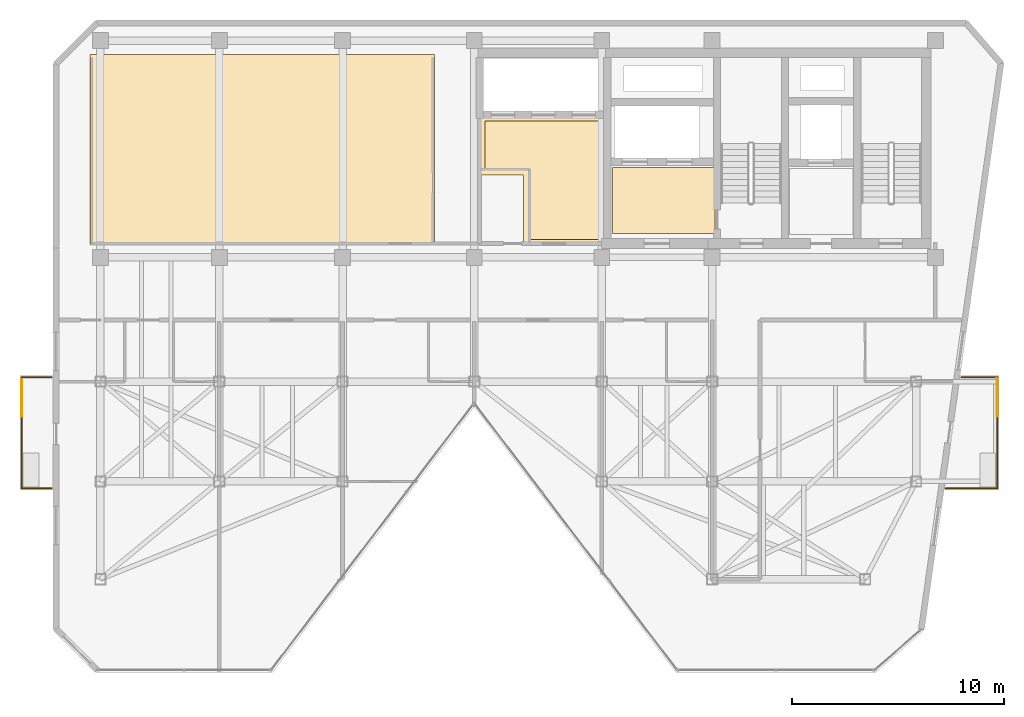
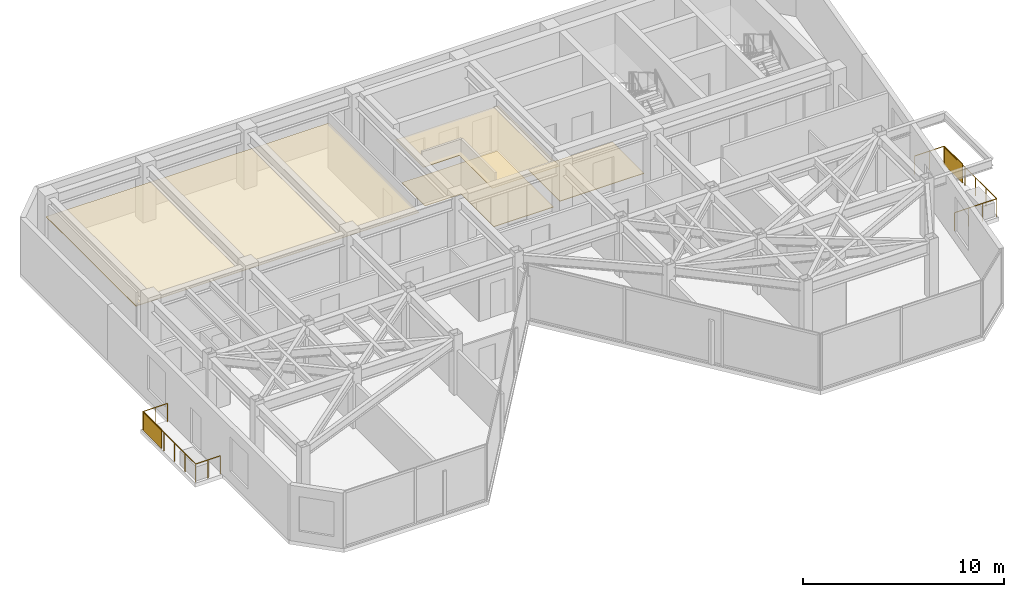
# One storey, part 16 of 17: 6 railings, 4 coverings, 2 shading devices.
"""IFC4 building model written with IfcOpenShell, lengths in metres."""

from ifc_helpers import new_model, si_unit, direction, frame, origin, origin_2d, place, context, subcontext, project, spatial, polyline, rectangle, circle, outline, extrude, material, layer, layer_set, type_object, element, save


model = new_model("IFC4")

# Units and contexts
model_context = context("Model", 3, precision=1e-05, world=origin(), true_north=direction((0.0, 1.0)))
body_context = subcontext(model_context, "Body", "Model", "MODEL_VIEW")
ifc_project = project(units=[si_unit("LENGTHUNIT", "METRE"), si_unit("AREAUNIT", "SQUARE_METRE"), si_unit("VOLUMEUNIT", "CUBIC_METRE"), si_unit("PLANEANGLEUNIT", "RADIAN"), si_unit("MASSUNIT", "GRAM", prefix="KILO")], contexts=[model_context])

# Site, building, storey
site_placement = place(None, origin())
site = spatial("IfcSite", under=ifc_project, at=site_placement, CompositionType="ELEMENT")
building_placement = place(site_placement, origin())
building = spatial("IfcBuilding", under=site, at=building_placement, Name="Kravanh Interchange Tower", CompositionType="ELEMENT")
storey_placement = place(building_placement, frame((0.0, 0.0, 249.0)))
storey = spatial("IfcBuildingStorey", under=building, at=storey_placement, Name="L60", CompositionType="ELEMENT", Elevation=249.0)

# Coverings
ifc_material_1 = material(Name="Cementitious Terrazzo Tile")
ifc_layer_1 = layer(ifc_material_1, 0.030029296875)
ifc_layer_set_1 = layer_set([ifc_layer_1], Name="Honed Terrazzo Lobby Flooring 30mm")
covering_type_1 = type_object("IfcCoveringType", Name="Honed Terrazzo Lobby Flooring 30mm", PredefinedType="FLOORING", material=ifc_layer_set_1)
covering_1_placement = place(storey_placement, origin())
element("IfcCovering", 1, at=covering_1_placement, inside=storey, type_object=covering_type_1, Name="L60 Firefighting Lobby Floor Finish", PredefinedType="FLOORING", context=body_context, shape_type="SweptSolid", body=[
    extrude(outline(polyline([(56.1201171875, 38.4599609375), (51.300048828125, 38.4599609375), (51.300048828125, 41.580078125), (56.1201171875, 41.580078125), (56.1201171875, 38.4599609375)])), origin(), (0.0, 0.0, 1.0), 0.030029296875),
])
covering_2_placement = place(storey_placement, origin())
element("IfcCovering", 2, at=covering_2_placement, inside=storey, type_object=covering_type_1, Name="L60 High-Rise Lift Lobby Floor Finish", PredefinedType="FLOORING", context=body_context, shape_type="SweptSolid", body=[
    extrude(outline(polyline([(50.77001953125, 43.77001953125), (50.77001953125, 38.179931640625), (47.35009765625, 38.179931640625), (47.35009765625, 41.449951171875), (45.300048828125, 41.449951171875), (45.300048828125, 43.77001953125), (50.77001953125, 43.77001953125)])), origin(), (0.0, 0.0, 1.0), 0.030029296875),
])
ifc_material_2 = material(Name="Anodised Bronze Aluminium Acoustic Baffle", Category="aluminium")
ifc_layer_2 = layer(ifc_material_2, 0.034912109375)
ifc_layer_set_2 = layer_set([ifc_layer_2], Name="Linear Bronze Baffle Feature Ceiling 35mm")
covering_type_2 = type_object("IfcCoveringType", Name="Linear Bronze Baffle Feature Ceiling 35mm", PredefinedType="CEILING", material=ifc_layer_set_2)
covering_3_placement = place(storey_placement, frame((0.0, 0.0, 2.550048828125)))
element("IfcCovering", 3, at=covering_3_placement, inside=storey, type_object=covering_type_2, Name="L60 Guest Wellness Fitness Lounge Suspended Ceiling", PredefinedType="CEILING", context=body_context, shape_type="SweptSolid", body=[
    extrude(outline(polyline([(42.929931640625, 46.889892578125), (42.929931640625, 37.9599609375), (26.7099609375, 37.9599609375), (26.7099609375, 46.889892578125), (42.929931640625, 46.889892578125)])), origin(), (0.0, 0.0, 1.0), 0.034912109375),
])
ifc_material_3 = material(Name="Acoustic Mineral Fibre Tile on Aluminium Grid", Category="aluminium")
ifc_layer_3 = layer(ifc_material_3, 0.02490234375)
ifc_layer_set_3 = layer_set([ifc_layer_3], Name="Perforated Acoustic Mineral Ceiling 25mm")
covering_type_3 = type_object("IfcCoveringType", Name="Perforated Acoustic Mineral Ceiling 25mm", PredefinedType="CEILING", material=ifc_layer_set_3)
covering_4_placement = place(storey_placement, frame((0.0, 0.0, 2.550048828125)))
element("IfcCovering", 4, at=covering_4_placement, inside=storey, type_object=covering_type_3, Name="L60 High-Rise Lift Lobby Suspended Ceiling", PredefinedType="CEILING", context=body_context, shape_type="SweptSolid", body=[
    extrude(outline(polyline([(47.1298828125, 37.9599609375), (47.1298828125, 41.22998046875), (45.080078125, 41.22998046875), (45.080078125, 43.989990234375), (50.989990234375, 43.989990234375), (50.989990234375, 37.9599609375), (47.1298828125, 37.9599609375)])), origin(), (0.0, 0.0, 1.0), 0.02490234375),
])

# Shading devices
ifc_material_4 = material(Name="Perforated Anodised Bronze Aluminium", Category="aluminium")
ifc_layer_4 = layer(ifc_material_4, 0.0400390625)
ifc_layer_set_4 = layer_set([ifc_layer_4], Name="Perforated Bronze Balcony Privacy Screen 1150mm")
shading_device_type = type_object("IfcShadingDeviceType", Name="Perforated Bronze Balcony Privacy Screen 1150mm", PredefinedType="USERDEFINED", material=ifc_layer_set_4)
for number, where, z_axis, x_axis, name in (
    (5, (69.409912109375, 30.739990234375, 0.0), (0.0, 0.0, 1.0), (1.0, 0.0, 0.0), "L60 E Perforated Bronze BALCONY SCREEN"),
    (6, (23.5, 30.739990234375, 0.0), (0.0, 0.0, 1.0), (1.0, 0.0, 0.0), "L60 W Perforated Bronze BALCONY SCREEN"),
):
    element("IfcShadingDevice", number, at=place(storey_placement, frame(where, z_axis=z_axis, x_axis=x_axis)), inside=storey, type_object=shading_device_type, Name=name, ObjectType="SCREEN", PredefinedType="USERDEFINED", context=body_context, shape_type="SweptSolid", body=[
        extrude(rectangle(XDim=0.0400390625, YDim=1.800048828125, at=origin_2d()), origin(), (0.0, 0.0, 1.0), 1.14990234375),
    ])

# Railings
ifc_material_5 = material(Name="Stainless Steel 316", Category="steel")
ifc_layer_5 = layer(ifc_material_5, 0.06005859375)
ifc_layer_set_5 = layer_set([ifc_layer_5], Name="Perimeter Balcony and Terrace Guardrail Stainless 316 1120mm")
railing_type = type_object("IfcRailingType", Name="Perimeter Balcony and Terrace Guardrail Stainless 316 1120mm", PredefinedType="GUARDRAIL", material=ifc_layer_set_5)
railing_1_placement = place(storey_placement, frame((69.409912109375, 31.7099609375, 0.0)))
element("IfcRailing", 7, at=railing_1_placement, inside=storey, type_object=railing_type, Name="L60 E Balcony Guardrail 1", PredefinedType="GUARDRAIL", context=body_context, shape_type="SweptSolid", body=[
    extrude(circle(Radius=0.02392578125, at=origin_2d()), frame((0.0, 0.0, 1.09619140625), z_axis=(0.0, -1.0, 0.0), x_axis=(1.0, 0.0, 0.0)), (0.0, 0.0, 1.0), 5.239990234375),
    extrude(circle(Radius=0.02099609375, at=origin_2d()), origin(), (0.0, 0.0, 1.0), 1.072021484375),
    extrude(circle(Radius=0.02099609375, at=origin_2d()), frame((0.0, -1.048095703125, 0.0)), (0.0, 0.0, 1.0), 1.072021484375),
    extrude(circle(Radius=0.02099609375, at=origin_2d()), frame((0.0, -2.095947265625, 0.0)), (0.0, 0.0, 1.0), 1.072021484375),
    extrude(circle(Radius=0.02099609375, at=origin_2d()), frame((0.0, -3.14404296875, 0.0)), (0.0, 0.0, 1.0), 1.072021484375),
    extrude(circle(Radius=0.02099609375, at=origin_2d()), frame((0.0, -4.19189453125, 0.0)), (0.0, 0.0, 1.0), 1.072021484375),
    extrude(circle(Radius=0.02099609375, at=origin_2d()), frame((0.0, -5.239990234375, 0.0)), (0.0, 0.0, 1.0), 1.072021484375),
])
railing_2_placement = place(storey_placement, frame((69.409912109375, 26.469970703125, 0.0)))
element("IfcRailing", 8, at=railing_2_placement, inside=storey, type_object=railing_type, Name="L60 E Balcony Guardrail 2", PredefinedType="GUARDRAIL", context=body_context, shape_type="SweptSolid", body=[
    extrude(circle(Radius=0.02392578125, at=origin_2d()), frame((0.0, 0.0, 1.09619140625), z_axis=(-1.0, 0.0, 0.0), x_axis=(0.0, -1.0, 0.0)), (0.0, 0.0, 1.0), 2.41015625),
    extrude(circle(Radius=0.02099609375, at=origin_2d()), origin(), (0.0, 0.0, 1.0), 1.072021484375),
    extrude(circle(Radius=0.02099609375, at=origin_2d()), frame((-0.803466796875, 0.0, 0.0)), (0.0, 0.0, 1.0), 1.072021484375),
    extrude(circle(Radius=0.02099609375, at=origin_2d()), frame((-1.606689453125, 0.0, 0.0)), (0.0, 0.0, 1.0), 1.072021484375),
    extrude(circle(Radius=0.02099609375, at=origin_2d()), frame((-2.41015625, 0.0, 0.0)), (0.0, 0.0, 1.0), 1.072021484375),
])
railing_3_placement = place(storey_placement, frame((67.736083984375, 31.7099609375, 0.0)))
element("IfcRailing", 9, at=railing_3_placement, inside=storey, type_object=railing_type, Name="L60 E Balcony Guardrail 3", PredefinedType="GUARDRAIL", context=body_context, shape_type="SweptSolid", body=[
    extrude(circle(Radius=0.02392578125, at=origin_2d()), frame((0.0, 0.0, 1.09619140625), z_axis=(1.0, 0.0, 0.0), x_axis=(0.0, 1.0, 0.0)), (0.0, 0.0, 1.0), 1.673828125),
    extrude(circle(Radius=0.02099609375, at=origin_2d()), origin(), (0.0, 0.0, 1.0), 1.072021484375),
    extrude(circle(Radius=0.02099609375, at=origin_2d()), frame((0.8369140625, 0.0, 0.0)), (0.0, 0.0, 1.0), 1.072021484375),
    extrude(circle(Radius=0.02099609375, at=origin_2d()), frame((1.673828125, 0.0, 0.0)), (0.0, 0.0, 1.0), 1.072021484375),
])
railing_4_placement = place(storey_placement, frame((23.5, 26.469970703125, 0.0)))
element("IfcRailing", 10, at=railing_4_placement, inside=storey, type_object=railing_type, Name="L60 W Balcony Guardrail 1", PredefinedType="GUARDRAIL", context=body_context, shape_type="SweptSolid", body=[
    extrude(circle(Radius=0.02392578125, at=origin_2d()), frame((0.0, 0.0, 1.09619140625), z_axis=(0.0, 1.0, 0.0), x_axis=(-1.0, 0.0, 0.0)), (0.0, 0.0, 1.0), 5.239990234375),
    extrude(circle(Radius=0.02099609375, at=origin_2d()), origin(), (0.0, 0.0, 1.0), 1.072021484375),
    extrude(circle(Radius=0.02099609375, at=origin_2d()), frame((0.0, 1.048095703125, 0.0)), (0.0, 0.0, 1.0), 1.072021484375),
    extrude(circle(Radius=0.02099609375, at=origin_2d()), frame((0.0, 2.095947265625, 0.0)), (0.0, 0.0, 1.0), 1.072021484375),
    extrude(circle(Radius=0.02099609375, at=origin_2d()), frame((0.0, 3.14404296875, 0.0)), (0.0, 0.0, 1.0), 1.072021484375),
    extrude(circle(Radius=0.02099609375, at=origin_2d()), frame((0.0, 4.19189453125, 0.0)), (0.0, 0.0, 1.0), 1.072021484375),
    extrude(circle(Radius=0.02099609375, at=origin_2d()), frame((0.0, 5.239990234375, 0.0)), (0.0, 0.0, 1.0), 1.072021484375),
])
railing_5_placement = place(storey_placement, frame((23.5, 31.7099609375, 0.0)))
element("IfcRailing", 11, at=railing_5_placement, inside=storey, type_object=railing_type, Name="L60 W Balcony Guardrail 2", PredefinedType="GUARDRAIL", context=body_context, shape_type="SweptSolid", body=[
    extrude(circle(Radius=0.02392578125, at=origin_2d()), frame((0.0, 0.0, 1.09619140625), z_axis=(1.0, 0.0, 0.0), x_axis=(0.0, 1.0, 0.0)), (0.0, 0.0, 1.0), 1.405029296875),
    extrude(circle(Radius=0.02099609375, at=origin_2d()), origin(), (0.0, 0.0, 1.0), 1.072021484375),
    extrude(circle(Radius=0.02099609375, at=origin_2d()), frame((0.70263671875, 0.0, 0.0)), (0.0, 0.0, 1.0), 1.072021484375),
    extrude(circle(Radius=0.02099609375, at=origin_2d()), frame((1.405029296875, 0.0, 0.0)), (0.0, 0.0, 1.0), 1.072021484375),
])
railing_6_placement = place(storey_placement, frame((24.905029296875, 26.469970703125, 0.0)))
element("IfcRailing", 12, at=railing_6_placement, inside=storey, type_object=railing_type, Name="L60 W Balcony Guardrail 3", PredefinedType="GUARDRAIL", context=body_context, shape_type="SweptSolid", body=[
    extrude(circle(Radius=0.02392578125, at=origin_2d()), frame((0.0, 0.0, 1.09619140625), z_axis=(-1.0, 0.0, 0.0), x_axis=(0.0, -1.0, 0.0)), (0.0, 0.0, 1.0), 1.405029296875),
    extrude(circle(Radius=0.02099609375, at=origin_2d()), origin(), (0.0, 0.0, 1.0), 1.072021484375),
    extrude(circle(Radius=0.02099609375, at=origin_2d()), frame((-0.70263671875, 0.0, 0.0)), (0.0, 0.0, 1.0), 1.072021484375),
    extrude(circle(Radius=0.02099609375, at=origin_2d()), frame((-1.405029296875, 0.0, 0.0)), (0.0, 0.0, 1.0), 1.072021484375),
])

save(model, "model.ifc")
